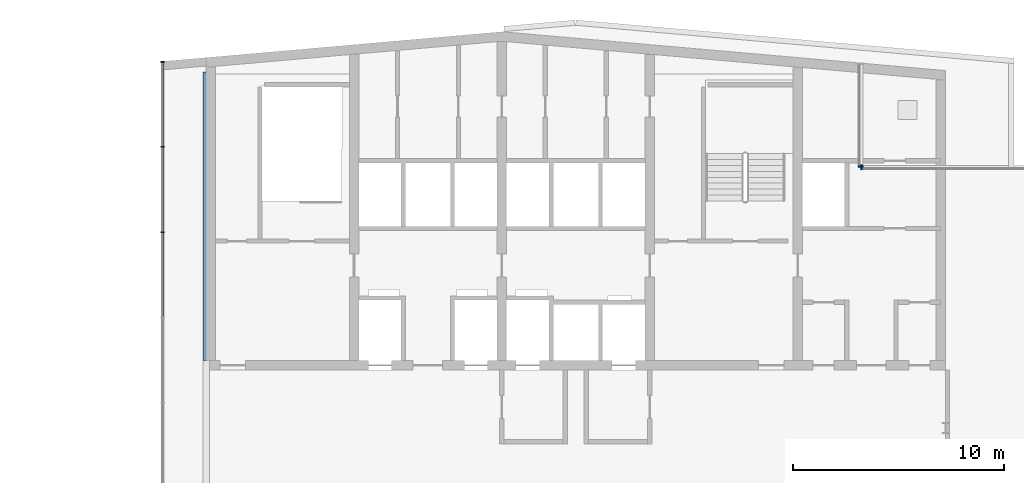
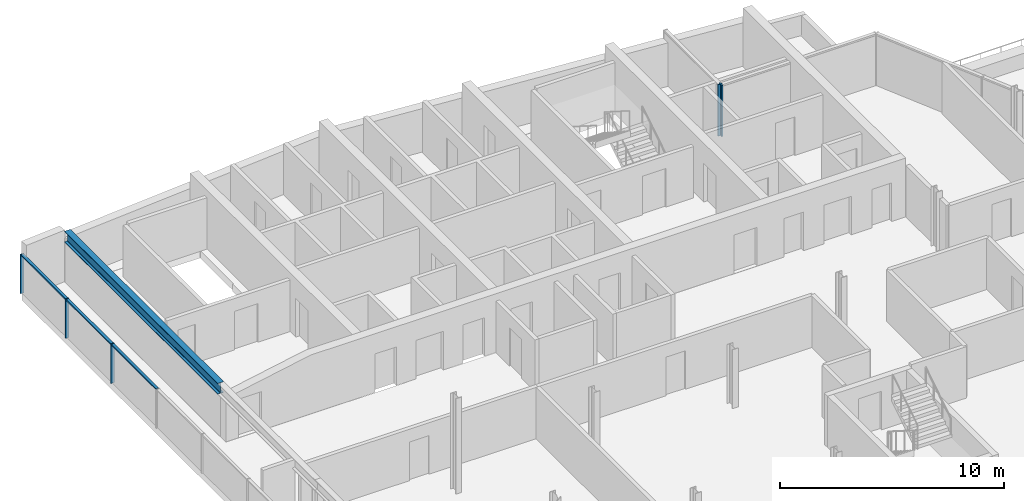
# One storey, part 7 of 17: 8 members, 1 beam, 3 elements without a shape of their own.
"""IFC4 building model written with IfcOpenShell, lengths in metres."""

import ifcopenshell
import ifcopenshell.guid

model = None  # the IFC model being written
_history = None  # IfcOwnerHistory: only IFC2X3 demands one
_inside = {}  # id of a spatial element -> (the spatial element, [elements in it])
_under = {}  # id of a project, library or spatial element -> (it, [spatial elements below it])
_declared = {}  # id of a project -> (the project, [libraries it declares])
_typed = {}  # id of a type object -> (the type object, [elements of that type])
_made_of = {}  # id of a material, layer set ... -> (it, [elements and type objects made of it])


def new_model(schema):
    """Start an empty IFC model of exactly this schema.

    Asked for "IFC4X3", IfcOpenShell would pick the latest addendum, in which some entities
    have other attributes; the version numbers below select the first issue.
    IFC2X3 requires an IfcOwnerHistory on every rooted entity: one is made here for all.
    """
    global model, _history
    if schema == "IFC4X3":
        model = ifcopenshell.file(schema_version=(4, 3, 0, 0))
    else:
        model = ifcopenshell.file(schema=schema)
    _inside.clear()
    _under.clear()
    _declared.clear()
    _typed.clear()
    _made_of.clear()
    _history = None
    if model.schema == "IFC2X3":
        org = make("IfcOrganization", Name="unknown")
        user = make(
            "IfcPersonAndOrganization",
            ThePerson=make("IfcPerson", FamilyName="unknown"),
            TheOrganization=org,
        )
        app = make(
            "IfcApplication",
            ApplicationDeveloper=org,
            Version="unknown",
            ApplicationFullName="unknown",
            ApplicationIdentifier="unknown",
        )
        _history = make(
            "IfcOwnerHistory",
            OwningUser=user,
            OwningApplication=app,
            ChangeAction="ADDED",
            CreationDate=0,
        )
    return model


def make(cls, **values):
    """One entity of the class cls with the attributes given. An attribute that is None is left unset."""
    return model.create_entity(
        cls, **{name: value for name, value in values.items() if value is not None}
    )


def rooted(cls, **values):
    """An entity with a GlobalId (a new one), such as an element, a storey or a relation."""
    return make(cls, GlobalId=ifcopenshell.guid.new(), OwnerHistory=_history, **values)


def si_unit(unit_type, name, prefix=None):
    """IfcSIUnit, for example si_unit("LENGTHUNIT", "METRE", prefix="MILLI")."""
    return make("IfcSIUnit", UnitType=unit_type, Prefix=prefix, Name=name)


def assignment(units):
    """IfcUnitAssignment: the units of a project."""
    return None if units is None else make("IfcUnitAssignment", Units=units)


def point(xyz):
    """IfcCartesianPoint."""
    return None if xyz is None else make("IfcCartesianPoint", Coordinates=xyz)


def direction(xyz):
    """IfcDirection."""
    return None if xyz is None else make("IfcDirection", DirectionRatios=xyz)


def frame(location, z_axis=None, x_axis=None):
    """IfcAxis2Placement3D, a coordinate frame: its origin and axes. An axis left out is left unset."""
    return make(
        "IfcAxis2Placement3D",
        Location=point(location),
        Axis=direction(z_axis),
        RefDirection=direction(x_axis),
    )


def frame_2d(location, x_axis=None):
    """IfcAxis2Placement2D, a coordinate frame in the plane: its origin and x axis."""
    return make(
        "IfcAxis2Placement2D", Location=point(location), RefDirection=direction(x_axis)
    )


def origin():
    """The frame at (0, 0, 0) with its axes left unset."""
    return frame((0.0, 0.0, 0.0))


def origin_2d():
    """The frame at (0, 0) in the plane with its x axis left unset."""
    return frame_2d((0.0, 0.0))


def place(relative_to, where):
    """IfcLocalPlacement: puts the frame where relative to a parent placement (None: the world)."""
    return make(
        "IfcLocalPlacement", PlacementRelTo=relative_to, RelativePlacement=where
    )


def context(
    kind, dimensions, precision=None, world=None, true_north=None, identifier=None
):
    """IfcGeometricRepresentationContext, for example the 3D "Model" context."""
    return make(
        "IfcGeometricRepresentationContext",
        ContextIdentifier=identifier,
        ContextType=kind,
        CoordinateSpaceDimension=dimensions,
        Precision=precision,
        WorldCoordinateSystem=world,
        TrueNorth=true_north,
    )


def subcontext(parent, identifier, kind, view, scale=None):
    """IfcGeometricRepresentationSubContext, for example "Body" below "Model"."""
    return make(
        "IfcGeometricRepresentationSubContext",
        ContextIdentifier=identifier,
        ContextType=kind,
        ParentContext=parent,
        TargetScale=scale,
        TargetView=view,
    )


def project(units=None, contexts=None):
    """IfcProject with its units and contexts."""
    return rooted(
        "IfcProject",
        Name="project",
        RepresentationContexts=contexts,
        UnitsInContext=assignment(units),
    )


def spatial(cls, under=None, at=None, **own):
    """A site, building, storey or space (cls), placed at a placement, below another one or the project."""
    s = rooted(cls, ObjectPlacement=at, **own)
    if under is not None:
        _under.setdefault(under.id(), (under, []))[1].append(s)
    return s


def profile(cls, at=None, kind="AREA", **sizes):
    """A parametric profile (cls). Its sizes go by their IFC names, for example OverallWidth=200.0."""
    return make(cls, ProfileType=kind, Position=at, **sizes)


def rectangle(**sizes):
    """IfcRectangleProfileDef."""
    return profile("IfcRectangleProfileDef", **sizes)


def i_section(**sizes):
    """IfcIShapeProfileDef."""
    return profile("IfcIShapeProfileDef", **sizes)


def extrude(swept, where, along, depth):
    """IfcExtrudedAreaSolid: the profile swept, set in the frame where, extruded along a direction by depth."""
    return make(
        "IfcExtrudedAreaSolid",
        SweptArea=swept,
        Position=where,
        ExtrudedDirection=direction(along),
        Depth=depth,
    )


def shape(context_of_items, identifier, shape_type, items):
    """IfcShapeRepresentation: the items that make up one representation, for example the "Body"."""
    return make(
        "IfcShapeRepresentation",
        ContextOfItems=context_of_items,
        RepresentationIdentifier=identifier,
        RepresentationType=shape_type,
        Items=items,
    )


def material(Name=None, Category=None):
    """IfcMaterial."""
    return make("IfcMaterial", Name=Name, Category=Category)


def material_profile(
    of_material, cross_section, Name=None, Category=None, Priority=None
):
    """IfcMaterialProfile: a cross section and its material."""
    return make(
        "IfcMaterialProfile",
        Name=Name,
        Material=of_material,
        Profile=cross_section,
        Priority=Priority,
        Category=Category,
    )


def profile_set(profiles, Name=None, composite=None):
    """IfcMaterialProfileSet."""
    return make(
        "IfcMaterialProfileSet",
        Name=Name,
        MaterialProfiles=profiles,
        CompositeProfile=composite,
    )


def made_of(thing, what):
    """Note that an element or type object is made of a material, layer set ...; save() writes the relation."""
    if what is not None:
        _made_of.setdefault(what.id(), (what, []))[1].append(thing)
    return thing


def type_object(cls, material=None, **own):
    """A type object (cls), such as IfcWallType, which elements share."""
    return made_of(rooted(cls, **own), material)


def element(
    cls,
    number,
    at=None,
    inside=None,
    cuts=None,
    type_object=None,
    material=None,
    context=None,
    identifier="Body",
    shape_type=None,
    held_by="IfcProductDefinitionShape",
    body=None,
    shapes=None,
    **own,
):
    """One element of the class cls, such as IfcWall. Its Tag is "e" and its number.

    at: its placement. inside: the storey or other place that contains it. cuts: it is an
    opening in that element (IfcRelVoidsElement). A single representation is given by context,
    identifier, shape_type and body (its items); several are given by shapes. held_by: the class
    of the entity that holds the representations. save() writes the other relations.
    """
    e = rooted(cls, Tag="e%d" % number, ObjectPlacement=at, **own)
    if body is not None:
        shapes = [shape(context, identifier, shape_type, body)]
    if shapes is not None:
        e.Representation = make(held_by, Representations=shapes)
    if inside is not None:
        _inside.setdefault(inside.id(), (inside, []))[1].append(e)
    if cuts is not None:
        rooted(
            "IfcRelVoidsElement", RelatingBuildingElement=cuts, RelatedOpeningElement=e
        )
    if type_object is not None:
        _typed.setdefault(type_object.id(), (type_object, []))[1].append(e)
    return made_of(e, material)


def aggregate(whole, parts):
    """IfcRelAggregates: a whole, such as a stair, and the parts it consists of."""
    return rooted("IfcRelAggregates", RelatingObject=whole, RelatedObjects=parts)


def save(model, path):
    """Write the relations noted so far, then the file.

    IfcRelAggregates (storeys below a building ...), IfcRelContainedInSpatialStructure (elements
    in a storey), IfcRelDefinesByType, IfcRelAssociatesMaterial and IfcRelDeclares: one each for
    every whole, place, type object, material and project.
    """
    for whole, parts in _under.values():
        aggregate(whole, parts)
    for where, things in _inside.values():
        rooted(
            "IfcRelContainedInSpatialStructure",
            RelatedElements=things,
            RelatingStructure=where,
        )
    for kind, things in _typed.values():
        rooted("IfcRelDefinesByType", RelatedObjects=things, RelatingType=kind)
    for what, things in _made_of.values():
        rooted("IfcRelAssociatesMaterial", RelatedObjects=things, RelatingMaterial=what)
    for by, libraries in _declared.values():
        rooted("IfcRelDeclares", RelatingContext=by, RelatedDefinitions=libraries)
    model.write(path)


model = new_model("IFC4")

# Units and contexts
model_context = context("Model", 3, precision=1e-05, world=origin(), true_north=direction((0.0, 1.0)))
body_context = subcontext(model_context, "Body", "Model", "MODEL_VIEW")
ifc_project = project(units=[si_unit("LENGTHUNIT", "METRE"), si_unit("AREAUNIT", "SQUARE_METRE"), si_unit("VOLUMEUNIT", "CUBIC_METRE"), si_unit("PLANEANGLEUNIT", "RADIAN"), si_unit("MASSUNIT", "GRAM", prefix="KILO")], contexts=[model_context])

# Site, building, storey
site_placement = place(None, origin())
site = spatial("IfcSite", under=ifc_project, at=site_placement, CompositionType="ELEMENT")
building_placement = place(site_placement, origin())
building = spatial("IfcBuilding", under=site, at=building_placement, Name="Wharfspan Tower", CompositionType="ELEMENT")
storey_placement = place(building_placement, frame((0.0, 0.0, 261.100098)))
storey = spatial("IfcBuildingStorey", under=building, at=storey_placement, Name="L66", CompositionType="ELEMENT", Elevation=261.100098)

# Curtain wall, members
ifc_material_1 = material(Name="Aluminium 6063-T6", Category="aluminium")
curtain_wall_type_1 = type_object("IfcCurtainWallType", Name="CURTAIN WALL CROWN GABLE", PredefinedType="NOTDEFINED", material=ifc_material_1)
curtain_wall_1_placement = place(storey_placement, origin())
curtain_wall_1 = element("IfcCurtainWall", 1, at=curtain_wall_1_placement, inside=storey, type_object=curtain_wall_type_1, Name="Crown gable glazing", PredefinedType="NOTDEFINED")
ifc_material_profile_1 = material_profile(ifc_material_1, rectangle(XDim=0.179932, YDim=0.060059, at=origin_2d()))
ifc_profile_set_1 = profile_set([ifc_material_profile_1], Name="Aluminium 6063-T6")
member_type_1 = type_object("IfcMemberType", Name="MULLION CROWN GABLE 60x180", PredefinedType="MULLION", material=ifc_profile_set_1)
member_1_placement = place(storey_placement, frame((20.930176, 40.523682, 0.0), z_axis=(0.0, 0.0, 1.0), x_axis=(-1.0, 0.0, 0.0)))
member_1 = element("IfcMember", 2, at=member_1_placement, type_object=member_type_1, Name="Crown gable glazing mullion 9", PredefinedType="MULLION", context=body_context, shape_type="SweptSolid", body=[
    extrude(rectangle(XDim=0.179932, YDim=0.060059, at=origin_2d()), origin(), (0.0, 0.0, 1.0), 2.124268),
])
member_2_placement = place(storey_placement, frame((20.930176, 44.564941, 0.0), z_axis=(0.0, 0.0, 1.0), x_axis=(-1.0, 0.0, 0.0)))
member_2 = element("IfcMember", 3, at=member_2_placement, type_object=member_type_1, Name="Crown gable glazing mullion 10", PredefinedType="MULLION", context=body_context, shape_type="SweptSolid", body=[
    extrude(rectangle(XDim=0.179932, YDim=0.060059, at=origin_2d()), origin(), (0.0, 0.0, 1.0), 2.124268),
])
member_3_placement = place(storey_placement, frame((20.930176, 48.576416, 0.0), z_axis=(0.0, 0.0, 1.0), x_axis=(-1.0, 0.0, 0.0)))
member_3 = element("IfcMember", 4, at=member_3_placement, type_object=member_type_1, Name="Crown gable glazing mullion 11", PredefinedType="MULLION", context=body_context, shape_type="SweptSolid", body=[
    extrude(rectangle(XDim=0.179932, YDim=0.060059, at=origin_2d()), origin(), (0.0, 0.0, 1.0), 2.124268),
])

# Curtain wall, member
curtain_wall_type_2 = type_object("IfcCurtainWallType", Name="CURTAIN WALL PROW AND END", PredefinedType="NOTDEFINED", material=ifc_material_1)
curtain_wall_2_placement = place(storey_placement, origin())
curtain_wall_2 = element("IfcCurtainWall", 5, at=curtain_wall_2_placement, inside=storey, type_object=curtain_wall_type_2, Name="Crown curtain wall NRE-H", PredefinedType="NOTDEFINED")
ifc_material_profile_2 = material_profile(ifc_material_1, rectangle(XDim=0.23999, YDim=0.060059, at=origin_2d()))
ifc_profile_set_2 = profile_set([ifc_material_profile_2], Name="Aluminium 6063-T6")
member_type_2 = type_object("IfcMemberType", Name="MULLION PROW AND END 60x240", PredefinedType="MULLION", material=ifc_profile_set_2)
member_4_placement = place(storey_placement, frame((54.030029, 43.600098, 0.0), z_axis=(0.0, 0.0, 1.0), x_axis=(0.0, -1.0, 0.0)))
member_4 = element("IfcMember", 6, at=member_4_placement, type_object=member_type_2, Name="Crown curtain wall NRE-H mullion 2", PredefinedType="MULLION", context=body_context, shape_type="SweptSolid", body=[
    extrude(rectangle(XDim=0.23999, YDim=0.060059, at=origin_2d()), origin(), (0.0, 0.0, 1.0), 2.799805),
])
aggregate(curtain_wall_2, [member_4])

curtain_wall_3_placement = place(storey_placement, origin())
curtain_wall_3 = element("IfcCurtainWall", 7, at=curtain_wall_3_placement, inside=storey, type_object=curtain_wall_type_2, Name="Crown curtain wall NRE-V", PredefinedType="NOTDEFINED")
member_5_placement = place(storey_placement, frame((54.0, 43.629883, 0.0), z_axis=(0.0, 0.0, 1.0), x_axis=(-1.0, 0.0, 0.0)))
member_5 = element("IfcMember", 8, at=member_5_placement, type_object=member_type_2, Name="Crown curtain wall NRE-V mullion 1", PredefinedType="MULLION", context=body_context, shape_type="SweptSolid", body=[
    extrude(rectangle(XDim=0.23999, YDim=0.060059, at=origin_2d()), origin(), (0.0, 0.0, 1.0), 2.799805),
])
aggregate(curtain_wall_3, [member_5])

# Beam
ifc_material_2 = material(Name="Steel S355J2", Category="steel")
ifc_material_profile_3 = material_profile(ifc_material_2, i_section(OverallWidth=0.300049, OverallDepth=0.600098, WebThickness=0.015381, FlangeThickness=0.030029, FilletRadius=0.0271, at=origin_2d()))
ifc_profile_set_3 = profile_set([ifc_material_profile_3], Name="Steel S355J2")
beam_type = type_object("IfcBeamType", Name="Roof girder HEB 600", PredefinedType="BEAM", material=ifc_profile_set_3)
beam_placement = place(storey_placement, frame((23.0, 34.449951, 2.665527), z_axis=(0.0, 1.0, 0.0), x_axis=(-1.0, 0.0, 0.0)))
element("IfcBeam", 9, at=beam_placement, inside=storey, type_object=beam_type, Name="Roof girder G1 34 to 48", PredefinedType="BEAM", context=body_context, shape_type="SweptSolid", body=[
    extrude(i_section(OverallWidth=0.300049, OverallDepth=0.600098, WebThickness=0.015381, FlangeThickness=0.030029, FilletRadius=0.0271, at=origin_2d()), origin(), (0.0, 0.0, 1.0), 13.663574),
])

# Member
ifc_material_profile_4 = material_profile(ifc_material_1, rectangle(XDim=0.139893, YDim=0.070068, at=origin_2d()))
ifc_profile_set_4 = profile_set([ifc_material_profile_4], Name="Aluminium 6063-T6")
member_type_3 = type_object("IfcMemberType", Name="TRANSOM CROWN GABLE 70x140", PredefinedType="USERDEFINED", material=ifc_profile_set_4)
member_6_placement = place(storey_placement, frame((20.930176, 36.512451, 2.089355), z_axis=(0.0, 1.0, 0.0), x_axis=(-1.0, 0.0, 0.0)))
member_6 = element("IfcMember", 10, at=member_6_placement, type_object=member_type_3, Name="Crown gable glazing transom 8", ObjectType="TRANSOM", PredefinedType="USERDEFINED", context=body_context, shape_type="SweptSolid", body=[
    extrude(rectangle(XDim=0.139893, YDim=0.070068, at=origin_2d()), origin(), (0.0, 0.0, 1.0), 3.981445),
])

member_7_placement = place(storey_placement, frame((20.930176, 40.553711, 2.089355), z_axis=(0.0, 1.0, 0.0), x_axis=(-1.0, 0.0, 0.0)))
member_7 = element("IfcMember", 11, at=member_7_placement, type_object=member_type_3, Name="Crown gable glazing transom 9", ObjectType="TRANSOM", PredefinedType="USERDEFINED", context=body_context, shape_type="SweptSolid", body=[
    extrude(rectangle(XDim=0.139893, YDim=0.070068, at=origin_2d()), origin(), (0.0, 0.0, 1.0), 3.981445),
])

member_8_placement = place(storey_placement, frame((20.930176, 44.594971, 2.089355), z_axis=(0.0, 1.0, 0.0), x_axis=(-1.0, 0.0, 0.0)))
member_8 = element("IfcMember", 12, at=member_8_placement, type_object=member_type_3, Name="Crown gable glazing transom 10", ObjectType="TRANSOM", PredefinedType="USERDEFINED", context=body_context, shape_type="SweptSolid", body=[
    extrude(rectangle(XDim=0.139893, YDim=0.070068, at=origin_2d()), origin(), (0.0, 0.0, 1.0), 3.951416),
])

aggregate(curtain_wall_1, [member_1, member_2, member_3, member_6, member_7, member_8])

save(model, "model.ifc")
